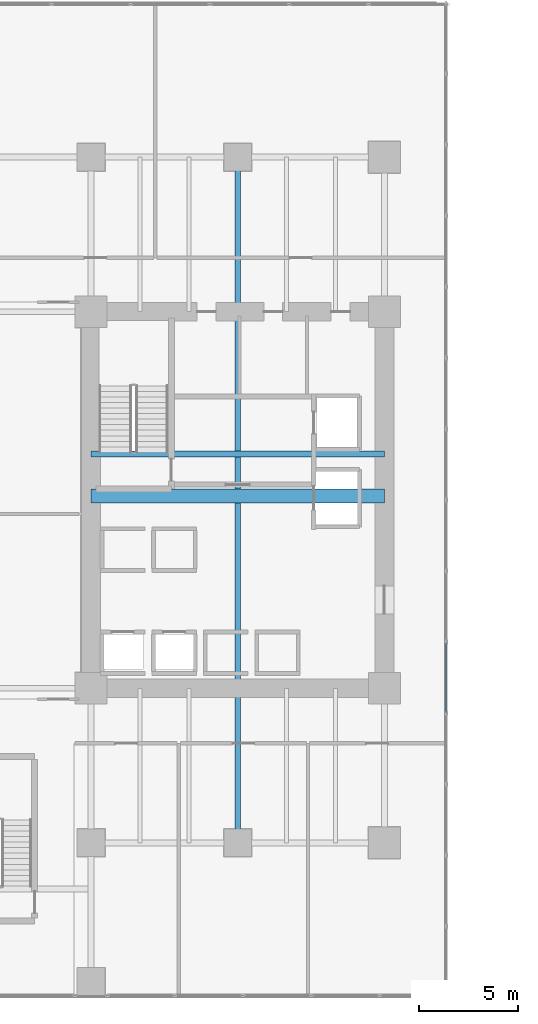
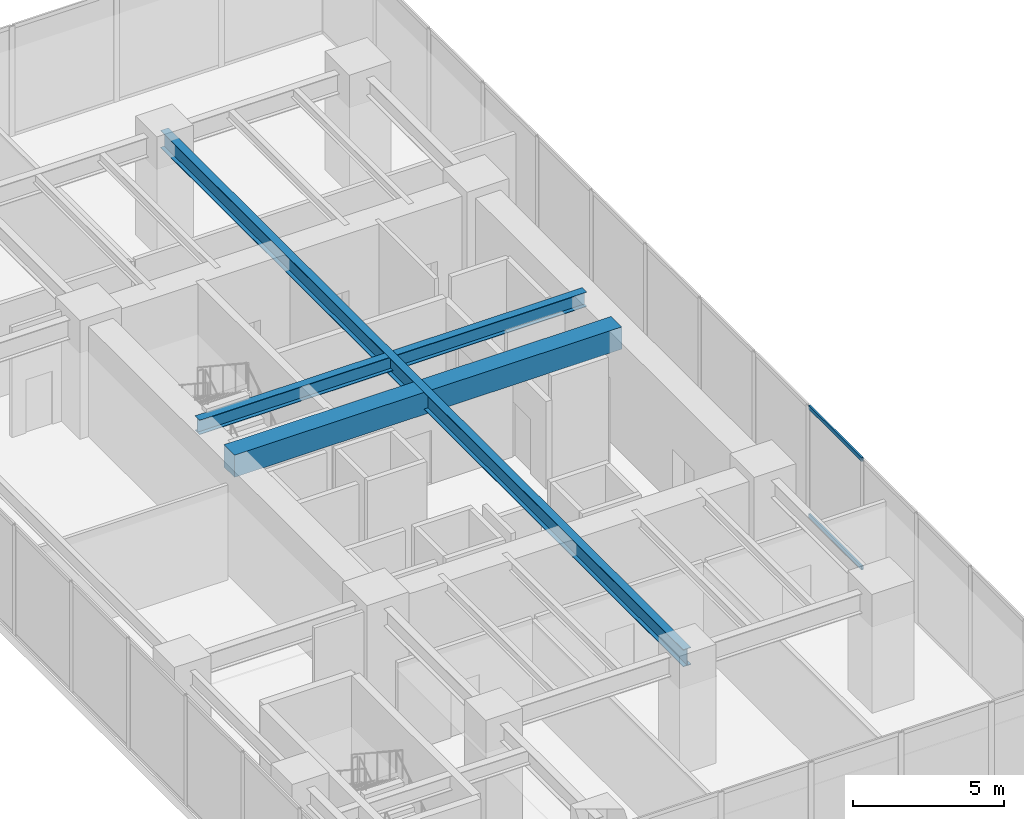
# One storey, part 6 of 33: 3 beams, 2 members, 1 element without a shape of its own.
"""IFC4 building model written with IfcOpenShell, lengths in metres."""

import ifcopenshell
import ifcopenshell.guid

model = None  # the IFC model being written
_history = None  # IfcOwnerHistory: only IFC2X3 demands one
_inside = {}  # id of a spatial element -> (the spatial element, [elements in it])
_under = {}  # id of a project, library or spatial element -> (it, [spatial elements below it])
_declared = {}  # id of a project -> (the project, [libraries it declares])
_typed = {}  # id of a type object -> (the type object, [elements of that type])
_made_of = {}  # id of a material, layer set ... -> (it, [elements and type objects made of it])


def new_model(schema):
    """Start an empty IFC model of exactly this schema.

    Asked for "IFC4X3", IfcOpenShell would pick the latest addendum, in which some entities
    have other attributes; the version numbers below select the first issue.
    IFC2X3 requires an IfcOwnerHistory on every rooted entity: one is made here for all.
    """
    global model, _history
    if schema == "IFC4X3":
        model = ifcopenshell.file(schema_version=(4, 3, 0, 0))
    else:
        model = ifcopenshell.file(schema=schema)
    _inside.clear()
    _under.clear()
    _declared.clear()
    _typed.clear()
    _made_of.clear()
    _history = None
    if model.schema == "IFC2X3":
        org = make("IfcOrganization", Name="unknown")
        user = make(
            "IfcPersonAndOrganization",
            ThePerson=make("IfcPerson", FamilyName="unknown"),
            TheOrganization=org,
        )
        app = make(
            "IfcApplication",
            ApplicationDeveloper=org,
            Version="unknown",
            ApplicationFullName="unknown",
            ApplicationIdentifier="unknown",
        )
        _history = make(
            "IfcOwnerHistory",
            OwningUser=user,
            OwningApplication=app,
            ChangeAction="ADDED",
            CreationDate=0,
        )
    return model


def make(cls, **values):
    """One entity of the class cls with the attributes given. An attribute that is None is left unset."""
    return model.create_entity(
        cls, **{name: value for name, value in values.items() if value is not None}
    )


def rooted(cls, **values):
    """An entity with a GlobalId (a new one), such as an element, a storey or a relation."""
    return make(cls, GlobalId=ifcopenshell.guid.new(), OwnerHistory=_history, **values)


def si_unit(unit_type, name, prefix=None):
    """IfcSIUnit, for example si_unit("LENGTHUNIT", "METRE", prefix="MILLI")."""
    return make("IfcSIUnit", UnitType=unit_type, Prefix=prefix, Name=name)


def assignment(units):
    """IfcUnitAssignment: the units of a project."""
    return None if units is None else make("IfcUnitAssignment", Units=units)


def point(xyz):
    """IfcCartesianPoint."""
    return None if xyz is None else make("IfcCartesianPoint", Coordinates=xyz)


def direction(xyz):
    """IfcDirection."""
    return None if xyz is None else make("IfcDirection", DirectionRatios=xyz)


def frame(location, z_axis=None, x_axis=None):
    """IfcAxis2Placement3D, a coordinate frame: its origin and axes. An axis left out is left unset."""
    return make(
        "IfcAxis2Placement3D",
        Location=point(location),
        Axis=direction(z_axis),
        RefDirection=direction(x_axis),
    )


def frame_2d(location, x_axis=None):
    """IfcAxis2Placement2D, a coordinate frame in the plane: its origin and x axis."""
    return make(
        "IfcAxis2Placement2D", Location=point(location), RefDirection=direction(x_axis)
    )


def origin():
    """The frame at (0, 0, 0) with its axes left unset."""
    return frame((0.0, 0.0, 0.0))


def origin_2d():
    """The frame at (0, 0) in the plane with its x axis left unset."""
    return frame_2d((0.0, 0.0))


def place(relative_to, where):
    """IfcLocalPlacement: puts the frame where relative to a parent placement (None: the world)."""
    return make(
        "IfcLocalPlacement", PlacementRelTo=relative_to, RelativePlacement=where
    )


def context(
    kind, dimensions, precision=None, world=None, true_north=None, identifier=None
):
    """IfcGeometricRepresentationContext, for example the 3D "Model" context."""
    return make(
        "IfcGeometricRepresentationContext",
        ContextIdentifier=identifier,
        ContextType=kind,
        CoordinateSpaceDimension=dimensions,
        Precision=precision,
        WorldCoordinateSystem=world,
        TrueNorth=true_north,
    )


def subcontext(parent, identifier, kind, view, scale=None):
    """IfcGeometricRepresentationSubContext, for example "Body" below "Model"."""
    return make(
        "IfcGeometricRepresentationSubContext",
        ContextIdentifier=identifier,
        ContextType=kind,
        ParentContext=parent,
        TargetScale=scale,
        TargetView=view,
    )


def project(units=None, contexts=None):
    """IfcProject with its units and contexts."""
    return rooted(
        "IfcProject",
        Name="project",
        RepresentationContexts=contexts,
        UnitsInContext=assignment(units),
    )


def spatial(cls, under=None, at=None, **own):
    """A site, building, storey or space (cls), placed at a placement, below another one or the project."""
    s = rooted(cls, ObjectPlacement=at, **own)
    if under is not None:
        _under.setdefault(under.id(), (under, []))[1].append(s)
    return s


def profile(cls, at=None, kind="AREA", **sizes):
    """A parametric profile (cls). Its sizes go by their IFC names, for example OverallWidth=200.0."""
    return make(cls, ProfileType=kind, Position=at, **sizes)


def rectangle(**sizes):
    """IfcRectangleProfileDef."""
    return profile("IfcRectangleProfileDef", **sizes)


def hollow_rectangle(**sizes):
    """IfcRectangleHollowProfileDef."""
    return profile("IfcRectangleHollowProfileDef", **sizes)


def i_section(**sizes):
    """IfcIShapeProfileDef."""
    return profile("IfcIShapeProfileDef", **sizes)


def extrude(swept, where, along, depth):
    """IfcExtrudedAreaSolid: the profile swept, set in the frame where, extruded along a direction by depth."""
    return make(
        "IfcExtrudedAreaSolid",
        SweptArea=swept,
        Position=where,
        ExtrudedDirection=direction(along),
        Depth=depth,
    )


def shape(context_of_items, identifier, shape_type, items):
    """IfcShapeRepresentation: the items that make up one representation, for example the "Body"."""
    return make(
        "IfcShapeRepresentation",
        ContextOfItems=context_of_items,
        RepresentationIdentifier=identifier,
        RepresentationType=shape_type,
        Items=items,
    )


def source(mapping_origin, context_of_items, identifier, shape_type, items):
    """IfcRepresentationMap: a shape defined once, which mapped items show again and again."""
    return make(
        "IfcRepresentationMap",
        MappingOrigin=mapping_origin,
        MappedRepresentation=shape(context_of_items, identifier, shape_type, items),
    )


def transform(
    local_origin,
    x_axis=None,
    y_axis=None,
    z_axis=None,
    scale=None,
    scale2=None,
    scale3=None,
    uniform=True,
):
    """IfcCartesianTransformationOperator3D, or its non-uniform kind. x_axis, y_axis, z_axis: its Axis1, 2, 3."""
    if uniform:
        return make(
            "IfcCartesianTransformationOperator3D",
            Axis1=direction(x_axis),
            Axis2=direction(y_axis),
            LocalOrigin=point(local_origin),
            Scale=scale,
            Axis3=direction(z_axis),
        )
    return make(
        "IfcCartesianTransformationOperator3DnonUniform",
        Axis1=direction(x_axis),
        Axis2=direction(y_axis),
        LocalOrigin=point(local_origin),
        Scale=scale,
        Axis3=direction(z_axis),
        Scale2=scale2,
        Scale3=scale3,
    )


def mapped(mapping_source, mapping_target):
    """IfcMappedItem: shows the shape of a source again, moved by a transform."""
    return make(
        "IfcMappedItem", MappingSource=mapping_source, MappingTarget=mapping_target
    )


def material(Name=None, Category=None):
    """IfcMaterial."""
    return make("IfcMaterial", Name=Name, Category=Category)


def layer(
    of_material, thickness, ventilated=None, Name=None, Category=None, Priority=None
):
    """IfcMaterialLayer: one layer of a wall or slab, of a material (None: an air gap)."""
    return make(
        "IfcMaterialLayer",
        Material=of_material,
        LayerThickness=thickness,
        IsVentilated=ventilated,
        Name=Name,
        Category=Category,
        Priority=Priority,
    )


def layer_set(layers, Name=None):
    """IfcMaterialLayerSet."""
    return make("IfcMaterialLayerSet", MaterialLayers=layers, LayerSetName=Name)


def material_profile(
    of_material, cross_section, Name=None, Category=None, Priority=None
):
    """IfcMaterialProfile: a cross section and its material."""
    return make(
        "IfcMaterialProfile",
        Name=Name,
        Material=of_material,
        Profile=cross_section,
        Priority=Priority,
        Category=Category,
    )


def profile_set(profiles, Name=None, composite=None):
    """IfcMaterialProfileSet."""
    return make(
        "IfcMaterialProfileSet",
        Name=Name,
        MaterialProfiles=profiles,
        CompositeProfile=composite,
    )


def made_of(thing, what):
    """Note that an element or type object is made of a material, layer set ...; save() writes the relation."""
    if what is not None:
        _made_of.setdefault(what.id(), (what, []))[1].append(thing)
    return thing


def type_object(cls, material=None, **own):
    """A type object (cls), such as IfcWallType, which elements share."""
    return made_of(rooted(cls, **own), material)


def type_shapes(of_type, sources):
    """Give a type object the sources (RepresentationMaps) that its elements show as mapped items."""
    of_type.RepresentationMaps = sources


def element(
    cls,
    number,
    at=None,
    inside=None,
    cuts=None,
    type_object=None,
    material=None,
    context=None,
    identifier="Body",
    shape_type=None,
    held_by="IfcProductDefinitionShape",
    body=None,
    shapes=None,
    **own,
):
    """One element of the class cls, such as IfcWall. Its Tag is "e" and its number.

    at: its placement. inside: the storey or other place that contains it. cuts: it is an
    opening in that element (IfcRelVoidsElement). A single representation is given by context,
    identifier, shape_type and body (its items); several are given by shapes. held_by: the class
    of the entity that holds the representations. save() writes the other relations.
    """
    e = rooted(cls, Tag="e%d" % number, ObjectPlacement=at, **own)
    if body is not None:
        shapes = [shape(context, identifier, shape_type, body)]
    if shapes is not None:
        e.Representation = make(held_by, Representations=shapes)
    if inside is not None:
        _inside.setdefault(inside.id(), (inside, []))[1].append(e)
    if cuts is not None:
        rooted(
            "IfcRelVoidsElement", RelatingBuildingElement=cuts, RelatedOpeningElement=e
        )
    if type_object is not None:
        _typed.setdefault(type_object.id(), (type_object, []))[1].append(e)
    return made_of(e, material)


def aggregate(whole, parts):
    """IfcRelAggregates: a whole, such as a stair, and the parts it consists of."""
    return rooted("IfcRelAggregates", RelatingObject=whole, RelatedObjects=parts)


def save(model, path):
    """Write the relations noted so far, then the file.

    IfcRelAggregates (storeys below a building ...), IfcRelContainedInSpatialStructure (elements
    in a storey), IfcRelDefinesByType, IfcRelAssociatesMaterial and IfcRelDeclares: one each for
    every whole, place, type object, material and project.
    """
    for whole, parts in _under.values():
        aggregate(whole, parts)
    for where, things in _inside.values():
        rooted(
            "IfcRelContainedInSpatialStructure",
            RelatedElements=things,
            RelatingStructure=where,
        )
    for kind, things in _typed.values():
        rooted("IfcRelDefinesByType", RelatedObjects=things, RelatingType=kind)
    for what, things in _made_of.values():
        rooted("IfcRelAssociatesMaterial", RelatedObjects=things, RelatingMaterial=what)
    for by, libraries in _declared.values():
        rooted("IfcRelDeclares", RelatingContext=by, RelatedDefinitions=libraries)
    model.write(path)


model = new_model("IFC4")

# Units and contexts
model_context = context("Model", 3, precision=1e-05, world=origin(), true_north=direction((0.0, 1.0)))
body_context = subcontext(model_context, "Body", "Model", "MODEL_VIEW")
ifc_project = project(units=[si_unit("LENGTHUNIT", "METRE"), si_unit("AREAUNIT", "SQUARE_METRE"), si_unit("VOLUMEUNIT", "CUBIC_METRE"), si_unit("PLANEANGLEUNIT", "RADIAN"), si_unit("MASSUNIT", "GRAM", prefix="KILO")], contexts=[model_context])

# Site, building, storey
site_placement = place(None, origin())
site = spatial("IfcSite", under=ifc_project, at=site_placement, CompositionType="ELEMENT")
building_placement = place(site_placement, origin())
building = spatial("IfcBuilding", under=site, at=building_placement, Name="Haelvirn Gate Laboratories", CompositionType="ELEMENT")
storey_placement = place(building_placement, frame((0.0, 0.0, 10.199951171875)))
storey = spatial("IfcBuildingStorey", under=building, at=storey_placement, Name="L03", CompositionType="ELEMENT", Elevation=10.199951171875)

# Beams
ifc_material_1 = material(Name="Concrete C60/75", Category="concrete")
ifc_material_profile_1 = material_profile(ifc_material_1, rectangle(XDim=0.699951171875, YDim=0.89990234375, at=origin_2d()), Name="RCB-700x900")
ifc_profile_set_1 = profile_set([ifc_material_profile_1], Name="Concrete C60/75")
beam_type_1 = type_object("IfcBeamType", Name="BM-RCB-900", PredefinedType="LINTEL", material=ifc_profile_set_1)
shared_shape_1 = source(origin(), body_context, "Body", "SweptSolid", [
    extrude(rectangle(XDim=0.699951171875, YDim=0.89990234375, at=origin_2d()), origin(), (0.0, 0.0, 1.0), 14.800048828125),
])
type_shapes(beam_type_1, [shared_shape_1])
beam_1_placement = place(storey_placement, frame((7.39990234375, 24.5, 4.0), z_axis=(1.0, 0.0, 0.0), x_axis=(0.0, 1.0, 0.0)))
element("IfcBeam", 1, at=beam_1_placement, inside=storey, type_object=beam_type_1, Name="L03 West Core Coupling Beam", PredefinedType="LINTEL", context=body_context, shape_type="MappedRepresentation", body=[
    mapped(shared_shape_1, transform((0.0, 0.0, 0.0), scale=1.0)),
])
ifc_material_2 = material(Name="Steel SM355", Category="steel")
ifc_material_profile_2 = material_profile(ifc_material_2, i_section(OverallWidth=0.300048828125, OverallDepth=0.587890625, WebThickness=0.011962890625, FlangeThickness=0.02001953125, at=origin_2d()), Name="H-588x300x12x20")
ifc_profile_set_2 = profile_set([ifc_material_profile_2], Name="Steel SM355")
beam_type_2 = type_object("IfcBeamType", Name="BM-G-588", PredefinedType="BEAM", material=ifc_profile_set_2)
shared_shape_2 = source(origin(), body_context, "Body", "SweptSolid", [
    extrude(i_section(OverallWidth=0.300048828125, OverallDepth=0.587890625, WebThickness=0.011962890625, FlangeThickness=0.02001953125, at=origin_2d()), origin(), (0.0, 0.0, 1.0), 14.800048828125),
])
type_shapes(beam_type_2, [shared_shape_2])
beam_2_placement = place(storey_placement, frame((7.39990234375, 26.6201171875, 4.156005859375), z_axis=(1.0, 0.0, 0.0), x_axis=(0.0, 1.0, 0.0)))
element("IfcBeam", 2, at=beam_2_placement, inside=storey, type_object=beam_type_2, Name="L03 Stair ST1 Landing Header", PredefinedType="BEAM", context=body_context, shape_type="MappedRepresentation", body=[
    mapped(shared_shape_2, transform((0.0, 0.0, 0.0), scale=1.0)),
])
ifc_material_profile_3 = material_profile(ifc_material_2, i_section(OverallWidth=0.300048828125, OverallDepth=0.699951171875, WebThickness=0.012939453125, FlangeThickness=0.02392578125, at=origin_2d()), Name="H-700x300x13x24")
ifc_profile_set_3 = profile_set([ifc_material_profile_3], Name="Steel SM355")
beam_type_3 = type_object("IfcBeamType", Name="BM-G-700", PredefinedType="BEAM", material=ifc_profile_set_3)
shared_shape_3 = source(origin(), body_context, "Body", "SweptSolid", [
    extrude(i_section(OverallWidth=0.300048828125, OverallDepth=0.699951171875, WebThickness=0.012939453125, FlangeThickness=0.02392578125, at=origin_2d()), origin(), (0.0, 0.0, 1.0), 34.60009765625),
])
type_shapes(beam_type_3, [shared_shape_3])
beam_3_placement = place(storey_placement, frame((14.800048828125, 7.0, 4.10009765625), z_axis=(0.0, 1.0, 0.0), x_axis=(-1.0, 0.0, 0.0)))
element("IfcBeam", 3, at=beam_3_placement, inside=storey, type_object=beam_type_3, Name="L03 Frame Girder X14.8 (7.0-41.6)", PredefinedType="BEAM", context=body_context, shape_type="MappedRepresentation", body=[
    mapped(shared_shape_3, transform((0.0, 0.0, 0.0), scale=1.0)),
])

# Curtain wall, members
ifc_material_3 = material(Name="Anodised bronze unitised aluminium & triple low-E glass", Category="aluminium")
ifc_layer = layer(ifc_material_3, 0.18798828125, Name="CW-SYS-1")
ifc_layer_set = layer_set([ifc_layer], Name="Anodised bronze unitised aluminium & triple low-E glass")
curtain_wall_type = type_object("IfcCurtainWallType", Name="CW-SYS-1", PredefinedType="NOTDEFINED", material=ifc_layer_set)
curtain_wall_placement = place(storey_placement, origin())
curtain_wall = element("IfcCurtainWall", 4, at=curtain_wall_placement, inside=storey, type_object=curtain_wall_type, Name="L03 Unitised Curtain Wall CW-L03-P0-E01", PredefinedType="NOTDEFINED")
ifc_material_4 = material(Name="Extruded aluminium 6063-T6 (anodised bronze)", Category="aluminium")
ifc_material_profile_4 = material_profile(ifc_material_4, hollow_rectangle(XDim=0.070068359375, YDim=0.159912109375, WallThickness=0.0048828125, at=origin_2d()), Name="CWT-160x70x5")
ifc_profile_set_4 = profile_set([ifc_material_profile_4], Name="Extruded aluminium 6063-T6 (anodised bronze)")
member_type = type_object("IfcMemberType", Name="CWT-T160", PredefinedType="USERDEFINED", material=ifc_profile_set_4)
shared_shape_4 = source(origin(), body_context, "Body", "SweptSolid", [
    extrude(hollow_rectangle(XDim=0.070068359375, YDim=0.159912109375, WallThickness=0.0048828125, at=origin_2d()), origin(), (0.0, 0.0, 1.0), 3.505859375),
])
type_shapes(member_type, [shared_shape_4])
member_1_placement = place(storey_placement, frame((25.300048828125, 13.582763671875, 0.03515625), z_axis=(0.0, 1.0, 0.0), x_axis=(-1.0, 0.0, 0.0)))
member_1 = element("IfcMember", 5, at=member_1_placement, type_object=member_type, Name="CW1 transom 5.1", ObjectType="TRANSOM", PredefinedType="USERDEFINED", context=body_context, shape_type="MappedRepresentation", body=[
    mapped(shared_shape_4, transform((0.0, 0.0, 0.0), scale=1.0)),
])
member_2_placement = place(storey_placement, frame((25.300048828125, 13.582763671875, 4.4150390625), z_axis=(0.0, 1.0, 0.0), x_axis=(-1.0, 0.0, 0.0)))
member_2 = element("IfcMember", 6, at=member_2_placement, type_object=member_type, Name="CW1 transom 5.2", ObjectType="TRANSOM", PredefinedType="USERDEFINED", context=body_context, shape_type="MappedRepresentation", body=[
    mapped(shared_shape_4, transform((0.0, 0.0, 0.0), scale=1.0)),
])
aggregate(curtain_wall, [member_1, member_2])

save(model, "model.ifc")
